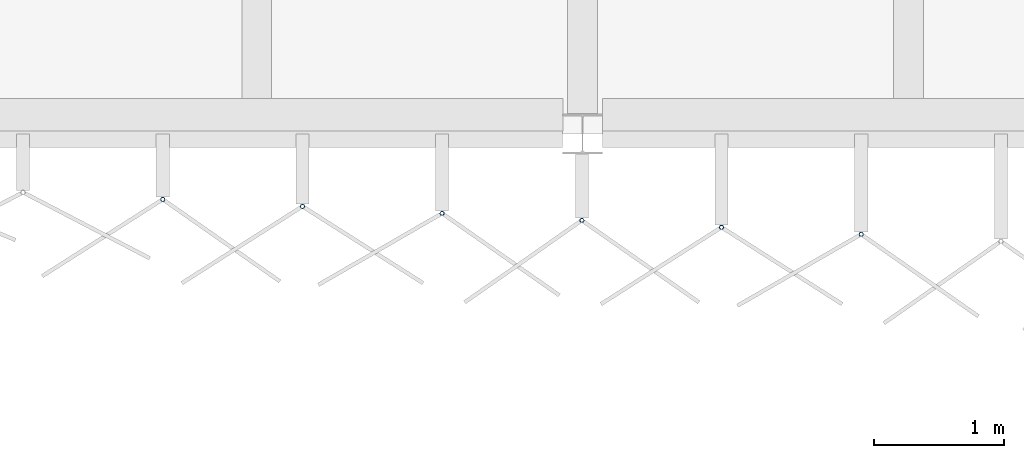
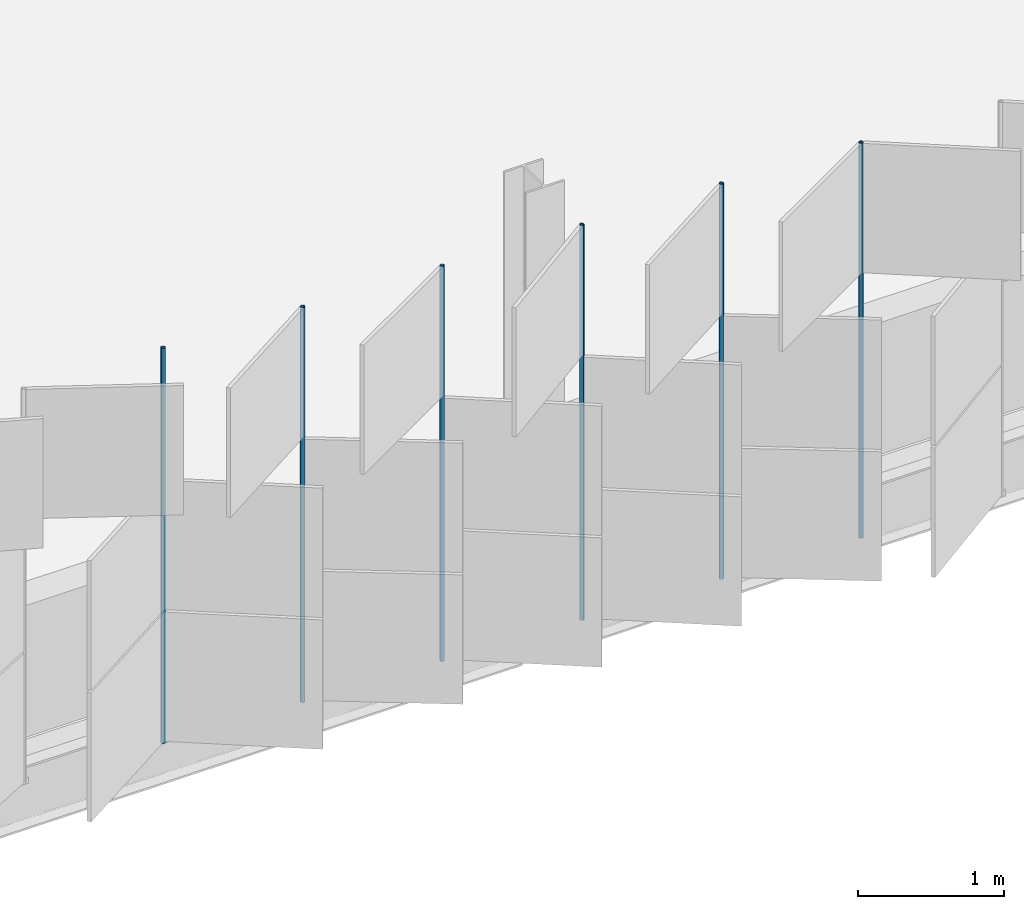
# One storey, part 107 of 198: 6 discrete accessories.
"""IFC4 building model written with IfcOpenShell, lengths in metres."""

from ifc_helpers import new_model, si_unit, direction, frame, origin, origin_2d, place, context, subcontext, project, spatial, hollow_circle, extrude, material, material_profile, profile_set, type_object, element, save


model = new_model("IFC4")

# Units and contexts
model_context = context("Model", 3, precision=1e-05, world=origin(), true_north=direction((0.0, 1.0)))
body_context = subcontext(model_context, "Body", "Model", "MODEL_VIEW")
ifc_project = project(units=[si_unit("LENGTHUNIT", "METRE"), si_unit("AREAUNIT", "SQUARE_METRE"), si_unit("VOLUMEUNIT", "CUBIC_METRE"), si_unit("PLANEANGLEUNIT", "RADIAN"), si_unit("MASSUNIT", "GRAM", prefix="KILO")], contexts=[model_context])

# Site, building, storey
site_placement = place(None, origin())
site = spatial("IfcSite", under=ifc_project, at=site_placement, CompositionType="ELEMENT")
building_placement = place(site_placement, origin())
building = spatial("IfcBuilding", under=site, at=building_placement, Name="Parallax Yard Mobility Hub", CompositionType="ELEMENT")
storey_placement = place(building_placement, frame((0.0, 0.0, 6.60009765625)))
storey = spatial("IfcBuildingStorey", under=building, at=storey_placement, Name="L02", CompositionType="ELEMENT", Elevation=6.60009765625)

# Discrete accessories
ifc_material = material(Name="Steel ASTM A500 Gr C, hot-dip galvanised", Category="steel")
ifc_material_profile = material_profile(ifc_material, hollow_circle(Radius=0.016845703125, WallThickness=0.003173828125, at=origin_2d()), Name="CHS 33.7x3.2")
ifc_profile_set = profile_set([ifc_material_profile], Name="Steel ASTM A500 Gr C, hot-dip galvanised")
discrete_accessory_type = type_object("IfcDiscreteAccessoryType", Name="Hinge post CHS 33.7x3.2", PredefinedType="BRACKET", material=ifc_profile_set)
for number, where, z_axis, x_axis, name in (
    (1, (161.780029296875, 111.998291015625, 0.0), (0.0, 0.0, 1.0), (1.0, 0.0, 0.0), "Hinge post bay 16.5 level L02"),
    (2, (162.8515625, 111.944580078125, 0.0), (0.0, 0.0, 1.0), (1.0, 0.0, 0.0), "Hinge post bay 16.6 level L02"),
    (3, (163.923095703125, 111.89111328125, 0.0), (0.0, 0.0, 1.0), (1.0, 0.0, 0.0), "Hinge post bay 16.7 level L02"),
    (4, (164.99462890625, 111.83740234375, 0.0), (0.0, 0.0, 1.0), (1.0, 0.0, 0.0), "Hinge post bay 17.1 level L02"),
    (5, (166.066162109375, 111.783935546875, 0.0), (0.0, 0.0, 1.0), (1.0, 0.0, 0.0), "Hinge post bay 17.2 level L02"),
    (6, (167.1376953125, 111.73046875, 0.0), (0.0, 0.0, 1.0), (1.0, 0.0, 0.0), "Hinge post bay 17.3 level L02"),
):
    element("IfcDiscreteAccessory", number, at=place(storey_placement, frame(where, z_axis=z_axis, x_axis=x_axis)), inside=storey, type_object=discrete_accessory_type, Name=name, PredefinedType="BRACKET", context=body_context, shape_type="SweptSolid", body=[
        extrude(hollow_circle(Radius=0.016845703125, WallThickness=0.003173828125, at=origin_2d()), origin(), (0.0, 0.0, 1.0), 3.2998046875),
    ])

save(model, "model.ifc")
